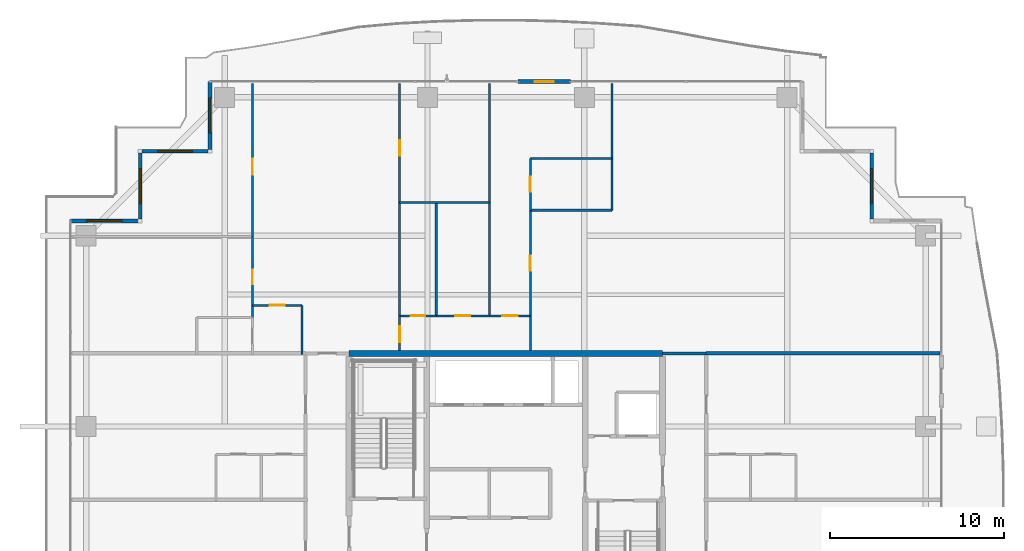
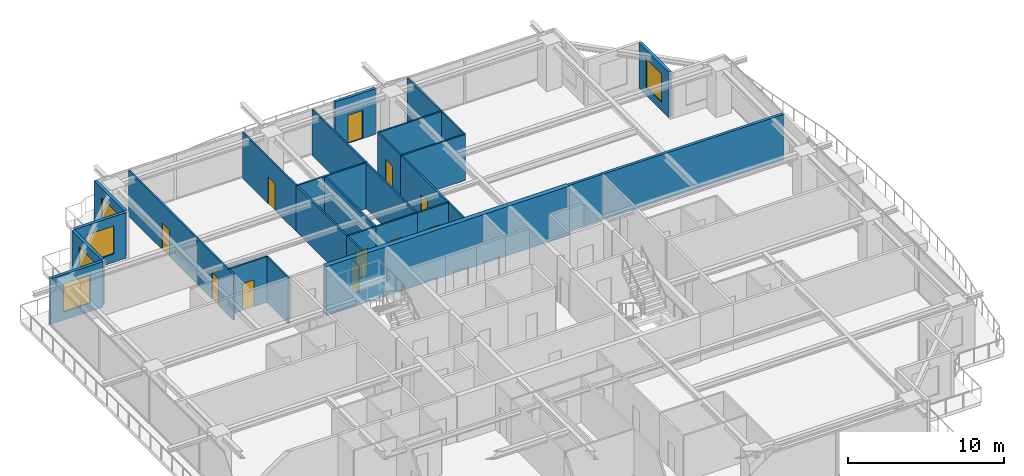
# One storey, part 29 of 38: 28 walls, 11 doors, 5 windows, 16 openings.
"""IFC4 building model written with IfcOpenShell, lengths in metres."""

import ifcopenshell
import ifcopenshell.guid

model = None  # the IFC model being written
_history = None  # IfcOwnerHistory: only IFC2X3 demands one
_inside = {}  # id of a spatial element -> (the spatial element, [elements in it])
_under = {}  # id of a project, library or spatial element -> (it, [spatial elements below it])
_declared = {}  # id of a project -> (the project, [libraries it declares])
_typed = {}  # id of a type object -> (the type object, [elements of that type])
_made_of = {}  # id of a material, layer set ... -> (it, [elements and type objects made of it])


def new_model(schema):
    """Start an empty IFC model of exactly this schema.

    Asked for "IFC4X3", IfcOpenShell would pick the latest addendum, in which some entities
    have other attributes; the version numbers below select the first issue.
    IFC2X3 requires an IfcOwnerHistory on every rooted entity: one is made here for all.
    """
    global model, _history
    if schema == "IFC4X3":
        model = ifcopenshell.file(schema_version=(4, 3, 0, 0))
    else:
        model = ifcopenshell.file(schema=schema)
    _inside.clear()
    _under.clear()
    _declared.clear()
    _typed.clear()
    _made_of.clear()
    _history = None
    if model.schema == "IFC2X3":
        org = make("IfcOrganization", Name="unknown")
        user = make(
            "IfcPersonAndOrganization",
            ThePerson=make("IfcPerson", FamilyName="unknown"),
            TheOrganization=org,
        )
        app = make(
            "IfcApplication",
            ApplicationDeveloper=org,
            Version="unknown",
            ApplicationFullName="unknown",
            ApplicationIdentifier="unknown",
        )
        _history = make(
            "IfcOwnerHistory",
            OwningUser=user,
            OwningApplication=app,
            ChangeAction="ADDED",
            CreationDate=0,
        )
    return model


def make(cls, **values):
    """One entity of the class cls with the attributes given. An attribute that is None is left unset."""
    return model.create_entity(
        cls, **{name: value for name, value in values.items() if value is not None}
    )


def rooted(cls, **values):
    """An entity with a GlobalId (a new one), such as an element, a storey or a relation."""
    return make(cls, GlobalId=ifcopenshell.guid.new(), OwnerHistory=_history, **values)


def si_unit(unit_type, name, prefix=None):
    """IfcSIUnit, for example si_unit("LENGTHUNIT", "METRE", prefix="MILLI")."""
    return make("IfcSIUnit", UnitType=unit_type, Prefix=prefix, Name=name)


def assignment(units):
    """IfcUnitAssignment: the units of a project."""
    return None if units is None else make("IfcUnitAssignment", Units=units)


def point(xyz):
    """IfcCartesianPoint."""
    return None if xyz is None else make("IfcCartesianPoint", Coordinates=xyz)


def direction(xyz):
    """IfcDirection."""
    return None if xyz is None else make("IfcDirection", DirectionRatios=xyz)


def frame(location, z_axis=None, x_axis=None):
    """IfcAxis2Placement3D, a coordinate frame: its origin and axes. An axis left out is left unset."""
    return make(
        "IfcAxis2Placement3D",
        Location=point(location),
        Axis=direction(z_axis),
        RefDirection=direction(x_axis),
    )


def frame_2d(location, x_axis=None):
    """IfcAxis2Placement2D, a coordinate frame in the plane: its origin and x axis."""
    return make(
        "IfcAxis2Placement2D", Location=point(location), RefDirection=direction(x_axis)
    )


def origin():
    """The frame at (0, 0, 0) with its axes left unset."""
    return frame((0.0, 0.0, 0.0))


def place(relative_to, where):
    """IfcLocalPlacement: puts the frame where relative to a parent placement (None: the world)."""
    return make(
        "IfcLocalPlacement", PlacementRelTo=relative_to, RelativePlacement=where
    )


def context(
    kind, dimensions, precision=None, world=None, true_north=None, identifier=None
):
    """IfcGeometricRepresentationContext, for example the 3D "Model" context."""
    return make(
        "IfcGeometricRepresentationContext",
        ContextIdentifier=identifier,
        ContextType=kind,
        CoordinateSpaceDimension=dimensions,
        Precision=precision,
        WorldCoordinateSystem=world,
        TrueNorth=true_north,
    )


def subcontext(parent, identifier, kind, view, scale=None):
    """IfcGeometricRepresentationSubContext, for example "Body" below "Model"."""
    return make(
        "IfcGeometricRepresentationSubContext",
        ContextIdentifier=identifier,
        ContextType=kind,
        ParentContext=parent,
        TargetScale=scale,
        TargetView=view,
    )


def project(units=None, contexts=None):
    """IfcProject with its units and contexts."""
    return rooted(
        "IfcProject",
        Name="project",
        RepresentationContexts=contexts,
        UnitsInContext=assignment(units),
    )


def spatial(cls, under=None, at=None, **own):
    """A site, building, storey or space (cls), placed at a placement, below another one or the project."""
    s = rooted(cls, ObjectPlacement=at, **own)
    if under is not None:
        _under.setdefault(under.id(), (under, []))[1].append(s)
    return s


def profile(cls, at=None, kind="AREA", **sizes):
    """A parametric profile (cls). Its sizes go by their IFC names, for example OverallWidth=200.0."""
    return make(cls, ProfileType=kind, Position=at, **sizes)


def rectangle(**sizes):
    """IfcRectangleProfileDef."""
    return profile("IfcRectangleProfileDef", **sizes)


def extrude(swept, where, along, depth):
    """IfcExtrudedAreaSolid: the profile swept, set in the frame where, extruded along a direction by depth."""
    return make(
        "IfcExtrudedAreaSolid",
        SweptArea=swept,
        Position=where,
        ExtrudedDirection=direction(along),
        Depth=depth,
    )


def shape(context_of_items, identifier, shape_type, items):
    """IfcShapeRepresentation: the items that make up one representation, for example the "Body"."""
    return make(
        "IfcShapeRepresentation",
        ContextOfItems=context_of_items,
        RepresentationIdentifier=identifier,
        RepresentationType=shape_type,
        Items=items,
    )


def source(mapping_origin, context_of_items, identifier, shape_type, items):
    """IfcRepresentationMap: a shape defined once, which mapped items show again and again."""
    return make(
        "IfcRepresentationMap",
        MappingOrigin=mapping_origin,
        MappedRepresentation=shape(context_of_items, identifier, shape_type, items),
    )


def transform(
    local_origin,
    x_axis=None,
    y_axis=None,
    z_axis=None,
    scale=None,
    scale2=None,
    scale3=None,
    uniform=True,
):
    """IfcCartesianTransformationOperator3D, or its non-uniform kind. x_axis, y_axis, z_axis: its Axis1, 2, 3."""
    if uniform:
        return make(
            "IfcCartesianTransformationOperator3D",
            Axis1=direction(x_axis),
            Axis2=direction(y_axis),
            LocalOrigin=point(local_origin),
            Scale=scale,
            Axis3=direction(z_axis),
        )
    return make(
        "IfcCartesianTransformationOperator3DnonUniform",
        Axis1=direction(x_axis),
        Axis2=direction(y_axis),
        LocalOrigin=point(local_origin),
        Scale=scale,
        Axis3=direction(z_axis),
        Scale2=scale2,
        Scale3=scale3,
    )


def mapped(mapping_source, mapping_target):
    """IfcMappedItem: shows the shape of a source again, moved by a transform."""
    return make(
        "IfcMappedItem", MappingSource=mapping_source, MappingTarget=mapping_target
    )


def material(Name=None, Category=None):
    """IfcMaterial."""
    return make("IfcMaterial", Name=Name, Category=Category)


def layer(
    of_material, thickness, ventilated=None, Name=None, Category=None, Priority=None
):
    """IfcMaterialLayer: one layer of a wall or slab, of a material (None: an air gap)."""
    return make(
        "IfcMaterialLayer",
        Material=of_material,
        LayerThickness=thickness,
        IsVentilated=ventilated,
        Name=Name,
        Category=Category,
        Priority=Priority,
    )


def layer_set(layers, Name=None):
    """IfcMaterialLayerSet."""
    return make("IfcMaterialLayerSet", MaterialLayers=layers, LayerSetName=Name)


def made_of(thing, what):
    """Note that an element or type object is made of a material, layer set ...; save() writes the relation."""
    if what is not None:
        _made_of.setdefault(what.id(), (what, []))[1].append(thing)
    return thing


def type_object(cls, material=None, **own):
    """A type object (cls), such as IfcWallType, which elements share."""
    return made_of(rooted(cls, **own), material)


def element(
    cls,
    number,
    at=None,
    inside=None,
    cuts=None,
    type_object=None,
    material=None,
    context=None,
    identifier="Body",
    shape_type=None,
    held_by="IfcProductDefinitionShape",
    body=None,
    shapes=None,
    **own,
):
    """One element of the class cls, such as IfcWall. Its Tag is "e" and its number.

    at: its placement. inside: the storey or other place that contains it. cuts: it is an
    opening in that element (IfcRelVoidsElement). A single representation is given by context,
    identifier, shape_type and body (its items); several are given by shapes. held_by: the class
    of the entity that holds the representations. save() writes the other relations.
    """
    e = rooted(cls, Tag="e%d" % number, ObjectPlacement=at, **own)
    if body is not None:
        shapes = [shape(context, identifier, shape_type, body)]
    if shapes is not None:
        e.Representation = make(held_by, Representations=shapes)
    if inside is not None:
        _inside.setdefault(inside.id(), (inside, []))[1].append(e)
    if cuts is not None:
        rooted(
            "IfcRelVoidsElement", RelatingBuildingElement=cuts, RelatedOpeningElement=e
        )
    if type_object is not None:
        _typed.setdefault(type_object.id(), (type_object, []))[1].append(e)
    return made_of(e, material)


def fill(opening, filler):
    """IfcRelFillsElement: the door or window that sits in an opening."""
    return rooted(
        "IfcRelFillsElement",
        RelatingOpeningElement=opening,
        RelatedBuildingElement=filler,
    )


def aggregate(whole, parts):
    """IfcRelAggregates: a whole, such as a stair, and the parts it consists of."""
    return rooted("IfcRelAggregates", RelatingObject=whole, RelatedObjects=parts)


def save(model, path):
    """Write the relations noted so far, then the file.

    IfcRelAggregates (storeys below a building ...), IfcRelContainedInSpatialStructure (elements
    in a storey), IfcRelDefinesByType, IfcRelAssociatesMaterial and IfcRelDeclares: one each for
    every whole, place, type object, material and project.
    """
    for whole, parts in _under.values():
        aggregate(whole, parts)
    for where, things in _inside.values():
        rooted(
            "IfcRelContainedInSpatialStructure",
            RelatedElements=things,
            RelatingStructure=where,
        )
    for kind, things in _typed.values():
        rooted("IfcRelDefinesByType", RelatedObjects=things, RelatingType=kind)
    for what, things in _made_of.values():
        rooted("IfcRelAssociatesMaterial", RelatedObjects=things, RelatingMaterial=what)
    for by, libraries in _declared.values():
        rooted("IfcRelDeclares", RelatingContext=by, RelatedDefinitions=libraries)
    model.write(path)


model = new_model("IFC4")

# Units and contexts
model_context = context("Model", 3, precision=1e-05, world=origin(), true_north=direction((0.0, 1.0)))
body_context = subcontext(model_context, "Body", "Model", "MODEL_VIEW")
ifc_project = project(units=[si_unit("LENGTHUNIT", "METRE"), si_unit("AREAUNIT", "SQUARE_METRE"), si_unit("VOLUMEUNIT", "CUBIC_METRE"), si_unit("PLANEANGLEUNIT", "RADIAN"), si_unit("MASSUNIT", "GRAM", prefix="KILO")], contexts=[model_context])

# Site, building, storey
site_placement = place(None, origin())
site = spatial("IfcSite", under=ifc_project, at=site_placement, CompositionType="ELEMENT")
building_placement = place(site_placement, origin())
building = spatial("IfcBuilding", under=site, at=building_placement, Name="Serunith Strait Residences", CompositionType="ELEMENT")
storey_placement = place(building_placement, frame((0.0, 0.0, 264.35009765625)))
storey = spatial("IfcBuildingStorey", under=building, at=storey_placement, Name="L66", CompositionType="ELEMENT", Elevation=264.35009765625)

# Wall, opening, window
ifc_material_1 = material(Name="Pale-Champagne Aluminium Insulated Panel", Category="aluminium")
ifc_layer_1 = layer(ifc_material_1, 0.219970703125, Name="Pale-Champagne Aluminium Insulated Panel")
ifc_layer_set_1 = layer_set([ifc_layer_1], Name="Pale-Champagne Aluminium Insulated Panel")
wall_type_1 = type_object("IfcWallType", Name="EW-ALUM-220", PredefinedType="ELEMENTEDWALL", material=ifc_layer_set_1)
wall_1_placement = place(storey_placement, frame((53.39990234375, 41.31005859375, 0.0), z_axis=(0.0, 0.0, 1.0), x_axis=(0.0, 1.0, 0.0)))
wall_1 = element("IfcWall", 1, at=wall_1_placement, inside=storey, type_object=wall_type_1, Name="L66 Girih Serrated Corner Wall 08", PredefinedType="ELEMENTEDWALL", context=body_context, shape_type="SweptSolid", body=[
    extrude(rectangle(XDim=3.780029296875, YDim=0.219970703125, at=frame_2d((1.89013671875, 0.0))), origin(), (0.0, 0.0, 1.0), 3.574951171875),
])
opening_1_placement = place(wall_1_placement, frame((0.889892578125, 0.0, 0.64990234375)))
opening_1 = element("IfcOpeningElement", 2, at=opening_1_placement, cuts=wall_1, Name="Opening W-04", PredefinedType="OPENING", context=body_context, shape_type="SweptSolid", body=[
    extrude(rectangle(XDim=2.0, YDim=2.199951171875, at=frame_2d((1.0, 1.10009765625))), frame((0.0, 0.1201171875, 0.0), z_axis=(0.0, -1.0, 0.0), x_axis=(1.0, 0.0, 0.0)), (0.0, 0.0, 1.0), 0.239990234375),
])
ifc_material_2 = material(Name="Ceramic-Fritted Operable Aluminium Window Glass", Category="aluminium")
window_type = type_object("IfcWindowType", Name="WIN-C4", PartitioningType="TRIPLE_PANEL_VERTICAL", PredefinedType="WINDOW", material=ifc_material_2)
shared_shape_1 = source(origin(), body_context, "Body", "SweptSolid", [
    extrude(rectangle(XDim=2.0, YDim=2.199951171875, at=frame_2d((1.0, 1.10009765625))), frame((0.0, 0.030029296875, 0.0), z_axis=(0.0, -1.0, 0.0), x_axis=(1.0, 0.0, 0.0)), (0.0, 0.0, 1.0), 0.06005859375),
])
window_1_placement = place(opening_1_placement, origin())
window_1 = element("IfcWindow", 3, at=window_1_placement, inside=storey, type_object=window_type, Name="L66 Corner Operable Fritted Window 08", OverallHeight=2.199951171875, OverallWidth=2.0, PartitioningType="SINGLE_PANEL", PredefinedType="WINDOW", context=body_context, shape_type="MappedRepresentation", body=[
    mapped(shared_shape_1, transform((0.0, 0.0, 0.0), scale=1.0)),
])
fill(opening_1, window_1)

# Wall, opening, door
wall_2_placement = place(storey_placement, frame((36.10009765625, 49.199951171875, 0.0), z_axis=(0.0, 0.0, 1.0), x_axis=(-1.0, 0.0, 0.0)))
wall_2 = element("IfcWall", 4, at=wall_2_placement, inside=storey, type_object=wall_type_1, Name="L66 N Facade Pier Wall", PredefinedType="ELEMENTEDWALL", context=body_context, shape_type="SweptSolid", body=[
    extrude(rectangle(XDim=3.0, YDim=0.219970703125, at=frame_2d((1.5, 0.0))), origin(), (0.0, 0.0, 1.0), 3.574951171875),
])
opening_2_placement = place(wall_2_placement, frame((0.949951171875, 0.0, 0.0)))
opening_2 = element("IfcOpeningElement", 5, at=opening_2_placement, cuts=wall_2, Name="Opening ED-03", PredefinedType="OPENING", context=body_context, shape_type="SweptSolid", body=[
    extrude(rectangle(XDim=1.10009765625, YDim=2.199951171875, at=frame_2d((0.550048828125, 1.10009765625))), frame((0.0, 0.1201171875, 0.0), z_axis=(0.0, -1.0, 0.0), x_axis=(1.0, 0.0, 0.0)), (0.0, 0.0, 1.0), 0.239990234375),
])
ifc_material_3 = material(Name="Thermally-Broken Aluminium Glazed Balcony Door", Category="aluminium")
door_type_1 = type_object("IfcDoorType", Name="ED-BALC-1100", OperationType="NOTDEFINED", PredefinedType="DOOR", material=ifc_material_3)
shared_shape_2 = source(origin(), body_context, "Body", "SweptSolid", [
    extrude(rectangle(XDim=1.10009765625, YDim=2.199951171875, at=frame_2d((0.550048828125, 1.10009765625))), frame((0.0, 0.02490234375, 0.0), z_axis=(0.0, -1.0, 0.0), x_axis=(1.0, 0.0, 0.0)), (0.0, 0.0, 1.0), 0.050048828125),
])
door_1_placement = place(opening_2_placement, origin())
door_1 = element("IfcDoor", 6, at=door_1_placement, inside=storey, type_object=door_type_1, Name="L66 N Vertical-Forest Balcony Door", OperationType="SINGLE_SWING_RIGHT", OverallHeight=2.199951171875, OverallWidth=1.10009765625, PredefinedType="DOOR", context=body_context, shape_type="MappedRepresentation", body=[
    mapped(shared_shape_2, transform((0.0, 0.0, 0.0), scale=1.0)),
])
fill(opening_2, door_1)

# Wall, opening, window
wall_3_placement = place(storey_placement, frame((15.39990234375, 49.199951171875, 0.0), z_axis=(0.0, 0.0, 1.0), x_axis=(0.0, -1.0, 0.0)))
wall_3 = element("IfcWall", 7, at=wall_3_placement, inside=storey, type_object=wall_type_1, Name="L66 Girih Serrated Corner Wall 12", PredefinedType="ELEMENTEDWALL", context=body_context, shape_type="SweptSolid", body=[
    extrude(rectangle(XDim=3.889892578125, YDim=0.219970703125, at=frame_2d((1.94482421875, 0.0))), origin(), (0.0, 0.0, 1.0), 3.574951171875),
])
opening_3_placement = place(wall_3_placement, frame((0.945068359375, 0.0, 0.64990234375)))
opening_3 = element("IfcOpeningElement", 8, at=opening_3_placement, cuts=wall_3, Name="Opening W-04", PredefinedType="OPENING", context=body_context, shape_type="SweptSolid", body=[
    extrude(rectangle(XDim=2.0, YDim=2.199951171875, at=frame_2d((1.0, 1.10009765625))), frame((0.0, 0.1201171875, 0.0), z_axis=(0.0, -1.0, 0.0), x_axis=(1.0, 0.0, 0.0)), (0.0, 0.0, 1.0), 0.239990234375),
])
window_2_placement = place(opening_3_placement, origin())
window_2 = element("IfcWindow", 9, at=window_2_placement, inside=storey, type_object=window_type, Name="L66 Corner Operable Fritted Window 12", OverallHeight=2.199951171875, OverallWidth=2.0, PartitioningType="SINGLE_PANEL", PredefinedType="WINDOW", context=body_context, shape_type="MappedRepresentation", body=[
    mapped(shared_shape_1, transform((0.0, 0.0, 0.0), scale=1.0)),
])
fill(opening_3, window_2)

wall_4_placement = place(storey_placement, frame((15.2900390625, 45.199951171875, 0.0), z_axis=(0.0, 0.0, 1.0), x_axis=(-1.0, 0.0, 0.0)))
wall_4 = element("IfcWall", 10, at=wall_4_placement, inside=storey, type_object=wall_type_1, Name="L66 Girih Serrated Corner Wall 13", PredefinedType="ELEMENTEDWALL", context=body_context, shape_type="SweptSolid", body=[
    extrude(rectangle(XDim=3.780029296875, YDim=0.219970703125, at=frame_2d((1.89013671875, 0.0))), origin(), (0.0, 0.0, 1.0), 3.574951171875),
])
opening_4_placement = place(wall_4_placement, frame((0.889892578125, 0.0, 0.64990234375)))
opening_4 = element("IfcOpeningElement", 11, at=opening_4_placement, cuts=wall_4, Name="Opening W-04", PredefinedType="OPENING", context=body_context, shape_type="SweptSolid", body=[
    extrude(rectangle(XDim=2.0, YDim=2.199951171875, at=frame_2d((1.0, 1.10009765625))), frame((0.0, 0.1201171875, 0.0), z_axis=(0.0, -1.0, 0.0), x_axis=(1.0, 0.0, 0.0)), (0.0, 0.0, 1.0), 0.239990234375),
])
window_3_placement = place(opening_4_placement, origin())
window_3 = element("IfcWindow", 12, at=window_3_placement, inside=storey, type_object=window_type, Name="L66 Corner Operable Fritted Window 13", OverallHeight=2.199951171875, OverallWidth=2.0, PartitioningType="SINGLE_PANEL", PredefinedType="WINDOW", context=body_context, shape_type="MappedRepresentation", body=[
    mapped(shared_shape_1, transform((0.0, 0.0, 0.0), scale=1.0)),
])
fill(opening_4, window_3)

wall_5_placement = place(storey_placement, frame((11.39990234375, 45.090087890625, 0.0), z_axis=(0.0, 0.0, 1.0), x_axis=(0.0, -1.0, 0.0)))
wall_5 = element("IfcWall", 13, at=wall_5_placement, inside=storey, type_object=wall_type_1, Name="L66 Girih Serrated Corner Wall 14", PredefinedType="ELEMENTEDWALL", context=body_context, shape_type="SweptSolid", body=[
    extrude(rectangle(XDim=3.780029296875, YDim=0.219970703125, at=frame_2d((1.89013671875, 0.0))), origin(), (0.0, 0.0, 1.0), 3.574951171875),
])
opening_5_placement = place(wall_5_placement, frame((0.889892578125, 0.0, 0.64990234375)))
opening_5 = element("IfcOpeningElement", 14, at=opening_5_placement, cuts=wall_5, Name="Opening W-04", PredefinedType="OPENING", context=body_context, shape_type="SweptSolid", body=[
    extrude(rectangle(XDim=2.0, YDim=2.199951171875, at=frame_2d((1.0, 1.10009765625))), frame((0.0, 0.1201171875, 0.0), z_axis=(0.0, -1.0, 0.0), x_axis=(1.0, 0.0, 0.0)), (0.0, 0.0, 1.0), 0.239990234375),
])
window_4_placement = place(opening_5_placement, origin())
window_4 = element("IfcWindow", 15, at=window_4_placement, inside=storey, type_object=window_type, Name="L66 Corner Operable Fritted Window 14", OverallHeight=2.199951171875, OverallWidth=2.0, PartitioningType="SINGLE_PANEL", PredefinedType="WINDOW", context=body_context, shape_type="MappedRepresentation", body=[
    mapped(shared_shape_1, transform((0.0, 0.0, 0.0), scale=1.0)),
])
fill(opening_5, window_4)

wall_6_placement = place(storey_placement, frame((11.2900390625, 41.199951171875, 0.0), z_axis=(0.0, 0.0, 1.0), x_axis=(-1.0, 0.0, 0.0)))
wall_6 = element("IfcWall", 16, at=wall_6_placement, inside=storey, type_object=wall_type_1, Name="L66 Girih Serrated Corner Wall 15", PredefinedType="ELEMENTEDWALL", context=body_context, shape_type="SweptSolid", body=[
    extrude(rectangle(XDim=3.89013671875, YDim=0.219970703125, at=frame_2d((1.945068359375, 0.0))), origin(), (0.0, 0.0, 1.0), 3.574951171875),
])
opening_6_placement = place(wall_6_placement, frame((0.945068359375, 0.0, 0.64990234375)))
opening_6 = element("IfcOpeningElement", 17, at=opening_6_placement, cuts=wall_6, Name="Opening W-04", PredefinedType="OPENING", context=body_context, shape_type="SweptSolid", body=[
    extrude(rectangle(XDim=2.0, YDim=2.199951171875, at=frame_2d((1.0, 1.10009765625))), frame((0.0, 0.1201171875, 0.0), z_axis=(0.0, -1.0, 0.0), x_axis=(1.0, 0.0, 0.0)), (0.0, 0.0, 1.0), 0.239990234375),
])
window_5_placement = place(opening_6_placement, origin())
window_5 = element("IfcWindow", 18, at=window_5_placement, inside=storey, type_object=window_type, Name="L66 Corner Operable Fritted Window 15", OverallHeight=2.199951171875, OverallWidth=2.0, PartitioningType="SINGLE_PANEL", PredefinedType="WINDOW", context=body_context, shape_type="MappedRepresentation", body=[
    mapped(shared_shape_1, transform((0.0, 0.0, 0.0), scale=1.0)),
])
fill(opening_6, window_5)

# Wall
ifc_material_4 = material(Name="Fire-rated acoustic gypsum partition")
ifc_layer_2 = layer(ifc_material_4, 0.179931640625, Name="Fire-rated acoustic gypsum partition")
ifc_layer_set_2 = layer_set([ifc_layer_2], Name="Fire-rated acoustic gypsum partition")
wall_type_2 = type_object("IfcWallType", Name="IW-CORR-180", PredefinedType="PARTITIONING", material=ifc_layer_set_2)
wall_7_placement = place(storey_placement, frame((41.402099609375, 33.60009765625, 0.0), z_axis=(0.0, 0.0, 1.0), x_axis=(1.0, 0.0, 0.0)))
element("IfcWall", 19, at=wall_7_placement, inside=storey, type_object=wall_type_2, Name="L66 Partition Wall 028", PredefinedType="PARTITIONING", context=body_context, shape_type="SweptSolid", body=[
    extrude(rectangle(XDim=2.495849609375, YDim=0.179931640625, at=frame_2d((1.248046875, 0.0))), origin(), (0.0, 0.0, 1.0), 3.58984375),
])

# Wall, opening, door
ifc_material_5 = material(Name="Lightweight steel-stud gypsum partition", Category="steel")
ifc_layer_3 = layer(ifc_material_5, 0.1201171875, Name="Lightweight steel-stud gypsum partition")
ifc_layer_set_3 = layer_set([ifc_layer_3], Name="Lightweight steel-stud gypsum partition")
wall_type_3 = type_object("IfcWallType", Name="IW-PART-120", PredefinedType="PARTITIONING", material=ifc_layer_set_3)
wall_8_placement = place(storey_placement, frame((17.85009765625, 36.35009765625, 0.0), z_axis=(0.0, 0.0, 1.0), x_axis=(1.0, 0.0, 0.0)))
wall_8 = element("IfcWall", 20, at=wall_8_placement, inside=storey, type_object=wall_type_3, Name="L66 Partition Wall 053", PredefinedType="PARTITIONING", context=body_context, shape_type="SweptSolid", body=[
    extrude(rectangle(XDim=2.849853515625, YDim=0.1201171875, at=frame_2d((1.4248046875, 0.0))), origin(), (0.0, 0.0, 1.0), 3.58984375),
])
opening_7_placement = place(wall_8_placement, frame((1.0, 0.0, 0.0)))
opening_7 = element("IfcOpeningElement", 21, at=opening_7_placement, cuts=wall_8, Name="Opening D-RM850", PredefinedType="OPENING", context=body_context, shape_type="SweptSolid", body=[
    extrude(rectangle(XDim=0.85009765625, YDim=2.10009765625, at=frame_2d((0.425048828125, 1.050048828125))), frame((0.0, 0.070068359375, 0.0), z_axis=(0.0, -1.0, 0.0), x_axis=(1.0, 0.0, 0.0)), (0.0, 0.0, 1.0), 0.14013671875),
])
ifc_material_6 = material(Name="Engineered timber flush study and kitchen door", Category="wood")
door_type_2 = type_object("IfcDoorType", Name="ID-ROOM-850", OperationType="NOTDEFINED", PredefinedType="DOOR", material=ifc_material_6)
shared_shape_3 = source(origin(), body_context, "Body", "SweptSolid", [
    extrude(rectangle(XDim=0.85009765625, YDim=2.10009765625, at=frame_2d((0.425048828125, 1.050048828125))), frame((0.0, 0.02490234375, 0.0), z_axis=(0.0, -1.0, 0.0), x_axis=(1.0, 0.0, 0.0)), (0.0, 0.0, 1.0), 0.050048828125),
])
door_2_placement = place(opening_7_placement, origin())
door_2 = element("IfcDoor", 22, at=door_2_placement, inside=storey, type_object=door_type_2, Name="L66 Kitchen 6602 Door", OperationType="SINGLE_SWING_LEFT", OverallHeight=2.10009765625, OverallWidth=0.85009765625, PredefinedType="DOOR", context=body_context, shape_type="MappedRepresentation", body=[
    mapped(shared_shape_3, transform((0.0, 0.0, 0.0), scale=1.0)),
])
fill(opening_7, door_2)

# Wall
wall_9_placement = place(storey_placement, frame((20.699951171875, 36.35009765625, 0.0), z_axis=(0.0, 0.0, 1.0), x_axis=(0.0, -1.0, 0.0)))
element("IfcWall", 23, at=wall_9_placement, inside=storey, type_object=wall_type_3, Name="L66 Partition Wall 054", PredefinedType="PARTITIONING", context=body_context, shape_type="SweptSolid", body=[
    extrude(rectangle(XDim=2.81005859375, YDim=0.1201171875, at=frame_2d((1.405029296875, 0.0))), origin(), (0.0, 0.0, 1.0), 3.58984375),
])

# Wall, opening, door
wall_10_placement = place(storey_placement, frame((17.85009765625, 49.10498046875, 0.0), z_axis=(0.0, 0.0, 1.0), x_axis=(0.0, -1.0, 0.0)))
wall_10 = element("IfcWall", 24, at=wall_10_placement, inside=storey, type_object=wall_type_3, Name="L66 Partition Wall 055", PredefinedType="PARTITIONING", context=body_context, shape_type="SweptSolid", body=[
    extrude(rectangle(XDim=8.799072265625, YDim=0.1201171875, at=frame_2d((4.3994140625, 0.0))), origin(), (0.0, 0.0, 1.0), 3.58984375),
])
opening_8_placement = place(wall_10_placement, frame((4.343994140625, 0.0, 0.0)))
opening_8 = element("IfcOpeningElement", 25, at=opening_8_placement, cuts=wall_10, Name="Opening D-RM900", PredefinedType="OPENING", context=body_context, shape_type="SweptSolid", body=[
    extrude(rectangle(XDim=0.89990234375, YDim=2.10009765625, at=frame_2d((0.449951171875, 1.050048828125))), frame((0.0, 0.070068359375, 0.0), z_axis=(0.0, -1.0, 0.0), x_axis=(1.0, 0.0, 0.0)), (0.0, 0.0, 1.0), 0.14013671875),
])
ifc_material_7 = material(Name="Engineered timber flush bedroom door", Category="wood")
door_type_3 = type_object("IfcDoorType", Name="ID-ROOM-900", OperationType="NOTDEFINED", PredefinedType="DOOR", material=ifc_material_7)
shared_shape_4 = source(origin(), body_context, "Body", "SweptSolid", [
    extrude(rectangle(XDim=0.89990234375, YDim=2.10009765625, at=frame_2d((0.449951171875, 1.050048828125))), frame((0.0, 0.02490234375, 0.0), z_axis=(0.0, -1.0, 0.0), x_axis=(1.0, 0.0, 0.0)), (0.0, 0.0, 1.0), 0.050048828125),
])
door_3_placement = place(opening_8_placement, origin())
door_3 = element("IfcDoor", 26, at=door_3_placement, inside=storey, type_object=door_type_3, Name="L66 Master Bedroom 1 6602 Door", OperationType="SINGLE_SWING_RIGHT", OverallHeight=2.10009765625, OverallWidth=0.89990234375, PredefinedType="DOOR", context=body_context, shape_type="MappedRepresentation", body=[
    mapped(shared_shape_4, transform((0.0, 0.0, 0.0), scale=1.0)),
])
fill(opening_8, door_3)

wall_11_placement = place(storey_placement, frame((17.85009765625, 40.303955078125, 0.0), z_axis=(0.0, 0.0, 1.0), x_axis=(0.0, -1.0, 0.0)))
wall_11 = element("IfcWall", 27, at=wall_11_placement, inside=storey, type_object=wall_type_3, Name="L66 Partition Wall 059", PredefinedType="PARTITIONING", context=body_context, shape_type="SweptSolid", body=[
    extrude(rectangle(XDim=4.654052734375, YDim=0.1201171875, at=frame_2d((2.3271484375, 0.0))), origin(), (0.0, 0.0, 1.0), 3.58984375),
])
opening_9_placement = place(wall_11_placement, frame((1.902099609375, 0.0, 0.0)))
opening_9 = element("IfcOpeningElement", 28, at=opening_9_placement, cuts=wall_11, Name="Opening D-RM850", PredefinedType="OPENING", context=body_context, shape_type="SweptSolid", body=[
    extrude(rectangle(XDim=0.85009765625, YDim=2.10009765625, at=frame_2d((0.425048828125, 1.050048828125))), frame((0.0, 0.070068359375, 0.0), z_axis=(0.0, -1.0, 0.0), x_axis=(1.0, 0.0, 0.0)), (0.0, 0.0, 1.0), 0.14013671875),
])
door_4_placement = place(opening_9_placement, origin())
door_4 = element("IfcDoor", 29, at=door_4_placement, inside=storey, type_object=door_type_2, Name="L66 Walk-in Wardrobe 6602 Door", OperationType="SINGLE_SWING_LEFT", OverallHeight=2.10009765625, OverallWidth=0.85009765625, PredefinedType="DOOR", context=body_context, shape_type="MappedRepresentation", body=[
    mapped(shared_shape_3, transform((0.0, 0.0, 0.0), scale=1.0)),
])
fill(opening_9, door_4)

wall_12_placement = place(storey_placement, frame((26.300048828125, 35.75, 0.0), z_axis=(0.0, 0.0, 1.0), x_axis=(0.0, -1.0, 0.0)))
wall_12 = element("IfcWall", 30, at=wall_12_placement, inside=storey, type_object=wall_type_3, Name="L66 Partition Wall 061", PredefinedType="PARTITIONING", context=body_context, shape_type="SweptSolid", body=[
    extrude(rectangle(XDim=1.97509765625, YDim=0.1201171875, at=frame_2d((0.987548828125, 0.0))), origin(), (0.0, 0.0, 1.0), 3.58984375),
])
opening_10_placement = place(wall_12_placement, frame((0.60107421875, 0.0, 0.0)))
opening_10 = element("IfcOpeningElement", 31, at=opening_10_placement, cuts=wall_12, Name="Opening D-RM900", PredefinedType="OPENING", context=body_context, shape_type="SweptSolid", body=[
    extrude(rectangle(XDim=0.89990234375, YDim=2.10009765625, at=frame_2d((0.449951171875, 1.050048828125))), frame((0.0, 0.070068359375, 0.0), z_axis=(0.0, -1.0, 0.0), x_axis=(1.0, 0.0, 0.0)), (0.0, 0.0, 1.0), 0.14013671875),
])
door_5_placement = place(opening_10_placement, origin())
door_5 = element("IfcDoor", 32, at=door_5_placement, inside=storey, type_object=door_type_3, Name="L66 Hall E 6602 Door", OperationType="SINGLE_SWING_LEFT", OverallHeight=2.10009765625, OverallWidth=0.89990234375, PredefinedType="DOOR", context=body_context, shape_type="MappedRepresentation", body=[
    mapped(shared_shape_4, transform((0.0, 0.0, 0.0), scale=1.0)),
])
fill(opening_10, door_5)

wall_13_placement = place(storey_placement, frame((26.300048828125, 49.10498046875, 0.0), z_axis=(0.0, 0.0, 1.0), x_axis=(0.0, -1.0, 0.0)))
wall_13 = element("IfcWall", 33, at=wall_13_placement, inside=storey, type_object=wall_type_3, Name="L66 Partition Wall 062", PredefinedType="PARTITIONING", context=body_context, shape_type="SweptSolid", body=[
    extrude(rectangle(XDim=6.85498046875, YDim=0.1201171875, at=frame_2d((3.427490234375, 0.0))), origin(), (0.0, 0.0, 1.0), 3.58984375),
])
opening_11_placement = place(wall_13_placement, frame((3.27490234375, 0.0, 0.0)))
opening_11 = element("IfcOpeningElement", 34, at=opening_11_placement, cuts=wall_13, Name="Opening D-RM900", PredefinedType="OPENING", context=body_context, shape_type="SweptSolid", body=[
    extrude(rectangle(XDim=0.89990234375, YDim=2.10009765625, at=frame_2d((0.449951171875, 1.050048828125))), frame((0.0, 0.070068359375, 0.0), z_axis=(0.0, -1.0, 0.0), x_axis=(1.0, 0.0, 0.0)), (0.0, 0.0, 1.0), 0.14013671875),
])
door_6_placement = place(opening_11_placement, origin())
door_6 = element("IfcDoor", 35, at=door_6_placement, inside=storey, type_object=door_type_3, Name="L66 Formal Dining Room 2 6602 Door", OperationType="SINGLE_SWING_RIGHT", OverallHeight=2.10009765625, OverallWidth=0.89990234375, PredefinedType="DOOR", context=body_context, shape_type="MappedRepresentation", body=[
    mapped(shared_shape_4, transform((0.0, 0.0, 0.0), scale=1.0)),
])
fill(opening_11, door_6)

# Walls
wall_14_placement = place(storey_placement, frame((26.300048828125, 42.248046875, 0.0), z_axis=(0.0, 0.0, 1.0), x_axis=(0.0, -1.0, 0.0)))
element("IfcWall", 36, at=wall_14_placement, inside=storey, type_object=wall_type_3, Name="L66 Partition Wall 063", PredefinedType="PARTITIONING", context=body_context, shape_type="SweptSolid", body=[
    extrude(rectangle(XDim=6.49609375, YDim=0.1201171875, at=frame_2d((3.248046875, 0.0))), origin(), (0.0, 0.0, 1.0), 3.58984375),
])
wall_15_placement = place(storey_placement, frame((26.300048828125, 42.25, 0.0), z_axis=(0.0, 0.0, 1.0), x_axis=(1.0, 0.0, 0.0)))
element("IfcWall", 37, at=wall_15_placement, inside=storey, type_object=wall_type_3, Name="L66 Partition Wall 064", PredefinedType="PARTITIONING", context=body_context, shape_type="SweptSolid", body=[
    extrude(rectangle(XDim=5.14990234375, YDim=0.1201171875, at=frame_2d((2.574951171875, 0.0))), origin(), (0.0, 0.0, 1.0), 3.58984375),
])
wall_16_placement = place(storey_placement, frame((31.449951171875, 49.10498046875, 0.0), z_axis=(0.0, 0.0, 1.0), x_axis=(0.0, -1.0, 0.0)))
element("IfcWall", 38, at=wall_16_placement, inside=storey, type_object=wall_type_3, Name="L66 Partition Wall 065", PredefinedType="PARTITIONING", context=body_context, shape_type="SweptSolid", body=[
    extrude(rectangle(XDim=13.35498046875, YDim=0.1201171875, at=frame_2d((6.677490234375, 0.0))), origin(), (0.0, 0.0, 1.0), 3.58984375),
])
wall_17_placement = place(storey_placement, frame((28.39990234375, 42.25, 0.0), z_axis=(0.0, 0.0, 1.0), x_axis=(0.0, -1.0, 0.0)))
element("IfcWall", 39, at=wall_17_placement, inside=storey, type_object=wall_type_3, Name="L66 Partition Wall 066", PredefinedType="PARTITIONING", context=body_context, shape_type="SweptSolid", body=[
    extrude(rectangle(XDim=6.5, YDim=0.1201171875, at=frame_2d((3.25, 0.0))), origin(), (0.0, 0.0, 1.0), 3.58984375),
])

# Wall, opening, door
wall_18_placement = place(storey_placement, frame((26.300048828125, 35.75, 0.0), z_axis=(0.0, 0.0, 1.0), x_axis=(1.0, 0.0, 0.0)))
wall_18 = element("IfcWall", 40, at=wall_18_placement, inside=storey, type_object=wall_type_3, Name="L66 Partition Wall 067", PredefinedType="PARTITIONING", context=body_context, shape_type="SweptSolid", body=[
    extrude(rectangle(XDim=2.099853515625, YDim=0.1201171875, at=frame_2d((1.0498046875, 0.0))), origin(), (0.0, 0.0, 1.0), 3.58984375),
])
opening_12_placement = place(wall_18_placement, frame((0.625, 0.0, 0.0)))
opening_12 = element("IfcOpeningElement", 41, at=opening_12_placement, cuts=wall_18, Name="Opening D-RM850", PredefinedType="OPENING", context=body_context, shape_type="SweptSolid", body=[
    extrude(rectangle(XDim=0.85009765625, YDim=2.10009765625, at=frame_2d((0.425048828125, 1.050048828125))), frame((0.0, 0.070068359375, 0.0), z_axis=(0.0, -1.0, 0.0), x_axis=(1.0, 0.0, 0.0)), (0.0, 0.0, 1.0), 0.14013671875),
])
door_7_placement = place(opening_12_placement, origin())
door_7 = element("IfcDoor", 42, at=door_7_placement, inside=storey, type_object=door_type_2, Name="L66 Study 6602 Door", OperationType="SINGLE_SWING_LEFT", OverallHeight=2.10009765625, OverallWidth=0.85009765625, PredefinedType="DOOR", context=body_context, shape_type="MappedRepresentation", body=[
    mapped(shared_shape_3, transform((0.0, 0.0, 0.0), scale=1.0)),
])
fill(opening_12, door_7)

wall_19_placement = place(storey_placement, frame((28.402099609375, 35.75, 0.0), z_axis=(0.0, 0.0, 1.0), x_axis=(1.0, 0.0, 0.0)))
wall_19 = element("IfcWall", 43, at=wall_19_placement, inside=storey, type_object=wall_type_3, Name="L66 Partition Wall 068", PredefinedType="PARTITIONING", context=body_context, shape_type="SweptSolid", body=[
    extrude(rectangle(XDim=3.0478515625, YDim=0.1201171875, at=frame_2d((1.52392578125, 0.0))), origin(), (0.0, 0.0, 1.0), 3.58984375),
])
opening_13_placement = place(wall_19_placement, frame((1.09912109375, 0.0, 0.0)))
opening_13 = element("IfcOpeningElement", 44, at=opening_13_placement, cuts=wall_19, Name="Opening D-RM850", PredefinedType="OPENING", context=body_context, shape_type="SweptSolid", body=[
    extrude(rectangle(XDim=0.85009765625, YDim=2.10009765625, at=frame_2d((0.425048828125, 1.050048828125))), frame((0.0, 0.070068359375, 0.0), z_axis=(0.0, -1.0, 0.0), x_axis=(1.0, 0.0, 0.0)), (0.0, 0.0, 1.0), 0.14013671875),
])
door_8_placement = place(opening_13_placement, origin())
door_8 = element("IfcDoor", 45, at=door_8_placement, inside=storey, type_object=door_type_2, Name="L66 Formal Dining Room 6602 Door", OperationType="SINGLE_SWING_RIGHT", OverallHeight=2.10009765625, OverallWidth=0.85009765625, PredefinedType="DOOR", context=body_context, shape_type="MappedRepresentation", body=[
    mapped(shared_shape_3, transform((0.0, 0.0, 0.0), scale=1.0)),
])
fill(opening_13, door_8)

wall_20_placement = place(storey_placement, frame((31.451904296875, 35.75, 0.0), z_axis=(0.0, 0.0, 1.0), x_axis=(1.0, 0.0, 0.0)))
wall_20 = element("IfcWall", 46, at=wall_20_placement, inside=storey, type_object=wall_type_3, Name="L66 Partition Wall 069", PredefinedType="PARTITIONING", context=body_context, shape_type="SweptSolid", body=[
    extrude(rectangle(XDim=2.34814453125, YDim=0.1201171875, at=frame_2d((1.174072265625, 0.0))), origin(), (0.0, 0.0, 1.0), 3.58984375),
])
opening_14_placement = place(wall_20_placement, frame((0.72412109375, 0.0, 0.0)))
opening_14 = element("IfcOpeningElement", 47, at=opening_14_placement, cuts=wall_20, Name="Opening D-RM900", PredefinedType="OPENING", context=body_context, shape_type="SweptSolid", body=[
    extrude(rectangle(XDim=0.89990234375, YDim=2.10009765625, at=frame_2d((0.449951171875, 1.050048828125))), frame((0.0, 0.070068359375, 0.0), z_axis=(0.0, -1.0, 0.0), x_axis=(1.0, 0.0, 0.0)), (0.0, 0.0, 1.0), 0.14013671875),
])
door_9_placement = place(opening_14_placement, origin())
door_9 = element("IfcDoor", 48, at=door_9_placement, inside=storey, type_object=door_type_3, Name="L66 Master Bedroom E 6602 Door", OperationType="SINGLE_SWING_LEFT", OverallHeight=2.10009765625, OverallWidth=0.89990234375, PredefinedType="DOOR", context=body_context, shape_type="MappedRepresentation", body=[
    mapped(shared_shape_4, transform((0.0, 0.0, 0.0), scale=1.0)),
])
fill(opening_14, door_9)

# Walls
wall_21_placement = place(storey_placement, frame((33.800048828125, 44.791015625, 0.0), z_axis=(0.0, 0.0, 1.0), x_axis=(1.0, 0.0, 0.0)))
element("IfcWall", 49, at=wall_21_placement, inside=storey, type_object=wall_type_3, Name="L66 Partition Wall 070", PredefinedType="PARTITIONING", context=body_context, shape_type="SweptSolid", body=[
    extrude(rectangle(XDim=4.699951171875, YDim=0.1201171875, at=frame_2d((2.35009765625, 0.0))), origin(), (0.0, 0.0, 1.0), 3.58984375),
])
wall_22_placement = place(storey_placement, frame((38.5, 49.10498046875, 0.0), z_axis=(0.0, 0.0, 1.0), x_axis=(0.0, -1.0, 0.0)))
element("IfcWall", 50, at=wall_22_placement, inside=storey, type_object=wall_type_3, Name="L66 Partition Wall 071", PredefinedType="PARTITIONING", context=body_context, shape_type="SweptSolid", body=[
    extrude(rectangle(XDim=7.29296875, YDim=0.1201171875, at=frame_2d((3.646484375, 0.0))), origin(), (0.0, 0.0, 1.0), 3.58984375),
])
wall_23_placement = place(storey_placement, frame((33.800048828125, 41.81201171875, 0.0), z_axis=(0.0, 0.0, 1.0), x_axis=(1.0, 0.0, 0.0)))
element("IfcWall", 51, at=wall_23_placement, inside=storey, type_object=wall_type_3, Name="L66 Partition Wall 072", PredefinedType="PARTITIONING", context=body_context, shape_type="SweptSolid", body=[
    extrude(rectangle(XDim=4.699951171875, YDim=0.1201171875, at=frame_2d((2.35009765625, 0.0))), origin(), (0.0, 0.0, 1.0), 3.58984375),
])

# Wall, opening, door
wall_24_placement = place(storey_placement, frame((33.800048828125, 44.791015625, 0.0), z_axis=(0.0, 0.0, 1.0), x_axis=(0.0, -1.0, 0.0)))
wall_24 = element("IfcWall", 52, at=wall_24_placement, inside=storey, type_object=wall_type_3, Name="L66 Partition Wall 073", PredefinedType="PARTITIONING", context=body_context, shape_type="SweptSolid", body=[
    extrude(rectangle(XDim=2.97900390625, YDim=0.1201171875, at=frame_2d((1.489501953125, 0.0))), origin(), (0.0, 0.0, 1.0), 3.58984375),
])
opening_15_placement = place(wall_24_placement, frame((1.06396484375, 0.0, 0.0)))
opening_15 = element("IfcOpeningElement", 53, at=opening_15_placement, cuts=wall_24, Name="Opening D-BTH850", PredefinedType="OPENING", context=body_context, shape_type="SweptSolid", body=[
    extrude(rectangle(XDim=0.85009765625, YDim=2.10009765625, at=frame_2d((0.425048828125, 1.050048828125))), frame((0.0, 0.070068359375, 0.0), z_axis=(0.0, -1.0, 0.0), x_axis=(1.0, 0.0, 0.0)), (0.0, 0.0, 1.0), 0.14013671875),
])
ifc_material_8 = material(Name="Moisture-resistant timber bathroom door", Category="wood")
door_type_4 = type_object("IfcDoorType", Name="ID-BATH-850", OperationType="NOTDEFINED", PredefinedType="DOOR", material=ifc_material_8)
door_10_placement = place(opening_15_placement, origin())
door_10 = element("IfcDoor", 54, at=door_10_placement, inside=storey, type_object=door_type_4, Name="L66 En-suite Bathroom E 6602 Door", OperationType="SINGLE_SWING_RIGHT", OverallHeight=2.10009765625, OverallWidth=0.85009765625, PredefinedType="DOOR", context=body_context, shape_type="MappedRepresentation", body=[
    mapped(shared_shape_3, transform((0.0, 0.0, 0.0), scale=1.0)),
])
fill(opening_15, door_10)

wall_25_placement = place(storey_placement, frame((33.800048828125, 41.81005859375, 0.0), z_axis=(0.0, 0.0, 1.0), x_axis=(0.0, -1.0, 0.0)))
wall_25 = element("IfcWall", 55, at=wall_25_placement, inside=storey, type_object=wall_type_3, Name="L66 Partition Wall 074", PredefinedType="PARTITIONING", context=body_context, shape_type="SweptSolid", body=[
    extrude(rectangle(XDim=6.06005859375, YDim=0.1201171875, at=frame_2d((3.030029296875, 0.0))), origin(), (0.0, 0.0, 1.0), 3.58984375),
])
opening_16_placement = place(wall_25_placement, frame((2.60498046875, 0.0, 0.0)))
opening_16 = element("IfcOpeningElement", 56, at=opening_16_placement, cuts=wall_25, Name="Opening D-RM850", PredefinedType="OPENING", context=body_context, shape_type="SweptSolid", body=[
    extrude(rectangle(XDim=0.85009765625, YDim=2.10009765625, at=frame_2d((0.425048828125, 1.050048828125))), frame((0.0, 0.070068359375, 0.0), z_axis=(0.0, -1.0, 0.0), x_axis=(1.0, 0.0, 0.0)), (0.0, 0.0, 1.0), 0.14013671875),
])
door_11_placement = place(opening_16_placement, origin())
door_11 = element("IfcDoor", 57, at=door_11_placement, inside=storey, type_object=door_type_2, Name="L66 Wardrobe E 6602 Door", OperationType="SINGLE_SWING_LEFT", OverallHeight=2.10009765625, OverallWidth=0.85009765625, PredefinedType="DOOR", context=body_context, shape_type="MappedRepresentation", body=[
    mapped(shared_shape_3, transform((0.0, 0.0, 0.0), scale=1.0)),
])
fill(opening_16, door_11)

# Walls
wall_26_placement = place(storey_placement, frame((33.800048828125, 35.748046875, 0.0), z_axis=(0.0, 0.0, 1.0), x_axis=(0.0, -1.0, 0.0)))
element("IfcWall", 58, at=wall_26_placement, inside=storey, type_object=wall_type_3, Name="L66 Partition Wall 075", PredefinedType="PARTITIONING", context=body_context, shape_type="SweptSolid", body=[
    extrude(rectangle(XDim=1.97314453125, YDim=0.1201171875, at=frame_2d((0.986572265625, 0.0))), origin(), (0.0, 0.0, 1.0), 3.58984375),
])
ifc_material_9 = material(Name="Twin-stud acoustic gypsum board partition")
ifc_layer_4 = layer(ifc_material_9, 0.199951171875, Name="Twin-stud acoustic gypsum board partition")
ifc_layer_set_4 = layer_set([ifc_layer_4], Name="Twin-stud acoustic gypsum board partition")
wall_type_4 = type_object("IfcWallType", Name="IW-PARTY-200", PredefinedType="PARTITIONING", material=ifc_layer_set_4)
wall_27_placement = place(storey_placement, frame((43.89990234375, 33.60009765625, 0.0), z_axis=(0.0, 0.0, 1.0), x_axis=(1.0, 0.0, 0.0)))
element("IfcWall", 59, at=wall_27_placement, inside=storey, type_object=wall_type_4, Name="L66 Partition Wall 023", PredefinedType="PARTITIONING", context=body_context, shape_type="SweptSolid", body=[
    extrude(rectangle(XDim=13.418212890625, YDim=0.199951171875, at=frame_2d((6.708984375, 0.0))), origin(), (0.0, 0.0, 1.0), 3.58984375),
])
ifc_material_10 = material(Name="Concrete C60/75", Category="concrete")
ifc_layer_5 = layer(ifc_material_10, 0.35009765625, Name="Concrete C60/75")
ifc_layer_set_5 = layer_set([ifc_layer_5], Name="Concrete C60/75")
wall_type_5 = type_object("IfcWallType", Name="SW-350-C60", PredefinedType="SHEAR", material=ifc_layer_set_5)
wall_28_placement = place(storey_placement, frame((41.39990234375, 33.60009765625, -0.260009765625), z_axis=(0.0, 0.0, 1.0), x_axis=(-1.0, 0.0, 0.0)))
element("IfcWall", 60, at=wall_28_placement, inside=storey, type_object=wall_type_5, Name="L66 Core North Shear Wall", PredefinedType="SHEAR", context=body_context, shape_type="SweptSolid", body=[
    extrude(rectangle(XDim=18.0, YDim=0.35009765625, at=frame_2d((9.0, 0.0))), origin(), (0.0, 0.0, 1.0), 3.847900390625),
])

save(model, "model.ifc")
